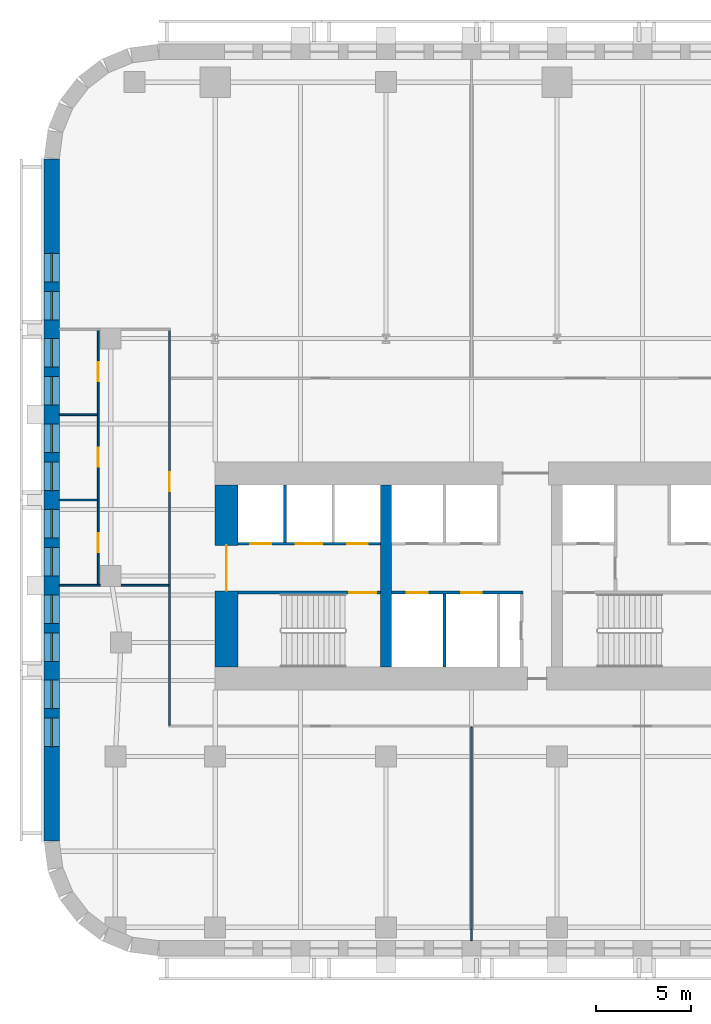
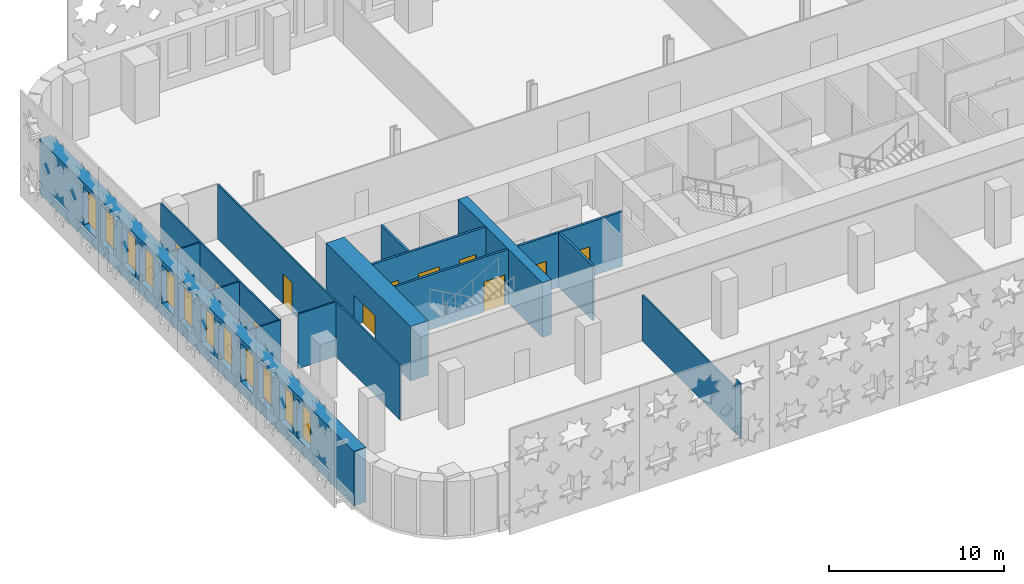
# One storey, part 3 of 14: 16 walls, 12 windows, 11 doors, 23 openings.
"""IFC4 building model written with IfcOpenShell, lengths in metres."""

from ifc_helpers import new_model, si_unit, direction, frame, frame_2d, origin, place, context, subcontext, project, spatial, rectangle, extrude, material, layer, layer_set, type_object, element, fill, save


model = new_model("IFC4")

# Units and contexts
model_context = context("Model", 3, precision=1e-05, world=origin(), true_north=direction((0.0, 1.0)))
body_context = subcontext(model_context, "Body", "Model", "MODEL_VIEW")
ifc_project = project(units=[si_unit("LENGTHUNIT", "METRE"), si_unit("AREAUNIT", "SQUARE_METRE"), si_unit("VOLUMEUNIT", "CUBIC_METRE"), si_unit("PLANEANGLEUNIT", "RADIAN"), si_unit("MASSUNIT", "GRAM", prefix="KILO")], contexts=[model_context])

# Site, building, storey
site_placement = place(None, origin())
site = spatial("IfcSite", under=ifc_project, at=site_placement, CompositionType="ELEMENT")
building_placement = place(site_placement, origin())
building = spatial("IfcBuilding", under=site, at=building_placement, Name="Zellij Exchange Tower", CompositionType="ELEMENT")
storey_placement = place(building_placement, frame((0.0, 0.0, 68.5)))
storey = spatial("IfcBuildingStorey", under=building, at=storey_placement, Name="L13", CompositionType="ELEMENT", Elevation=68.5)

# Walls
ifc_material_1 = material(Name="Concrete C70/85", Category="concrete")
ifc_layer_1 = layer(ifc_material_1, 0.60009765625)
ifc_layer_set_1 = layer_set([ifc_layer_1], Name="Concrete C70/85")
wall_type_1 = type_object("IfcWallType", Name="CORE-CW 600 C70/85", PredefinedType="SHEAR", material=ifc_layer_set_1)
wall_1_placement = place(storey_placement, frame((-18.0, -12.800048828125, 0.0), z_axis=(0.0, 0.0, 1.0), x_axis=(0.0, 1.0, 0.0)))
element("IfcWall", 1, at=wall_1_placement, inside=storey, type_object=wall_type_1, Name="Core cross wall x -18 L13", PredefinedType="SHEAR", context=body_context, shape_type="SweptSolid", body=[
    extrude(rectangle(XDim=9.60009765625, YDim=0.60009765625, at=frame_2d((4.800048828125, 0.0))), origin(), (0.0, 0.0, 1.0), 3.800048828125),
])
ifc_material_2 = material(Name="Gypsum shaft wall system")
ifc_layer_2 = layer(ifc_material_2, 0.14990234375)
ifc_layer_set_2 = layer_set([ifc_layer_2], Name="Gypsum shaft wall system")
wall_type_2 = type_object("IfcWallType", Name="CORE-PW 150 Lift shaft wall", PredefinedType="PARTITIONING", material=ifc_layer_set_2)
wall_2_placement = place(storey_placement, frame((-23.324951171875, -6.22509765625, 0.0), z_axis=(0.0, 0.0, 1.0), x_axis=(0.0, 1.0, 0.0)))
element("IfcWall", 2, at=wall_2_placement, inside=storey, type_object=wall_type_2, Name="Lift shaft wall L13", PredefinedType="PARTITIONING", context=body_context, shape_type="SweptSolid", body=[
    extrude(rectangle(XDim=3.025146484375, YDim=0.14990234375, at=frame_2d((1.5126953125, 0.0))), origin(), (0.0, 0.0, 1.0), 3.800048828125),
])
wall_3_placement = place(storey_placement, frame((-14.925048828125, -12.800048828125, 0.0), z_axis=(0.0, 0.0, 1.0), x_axis=(0.0, 1.0, 0.0)))
element("IfcWall", 3, at=wall_3_placement, inside=storey, type_object=wall_type_2, Name="Lift shaft wall L13", PredefinedType="PARTITIONING", context=body_context, shape_type="SweptSolid", body=[
    extrude(rectangle(XDim=3.85009765625, YDim=0.14990234375, at=frame_2d((1.925048828125, 0.0))), origin(), (0.0, 0.0, 1.0), 3.800048828125),
])

# Wall, openings, doors
wall_4_placement = place(storey_placement, frame((-25.800048828125, -6.300048828125, 0.0), z_axis=(0.0, 0.0, 1.0), x_axis=(1.0, 0.0, 0.0)))
wall_4 = element("IfcWall", 4, at=wall_4_placement, inside=storey, type_object=wall_type_2, Name="Lift shaft wall L13", PredefinedType="PARTITIONING", context=body_context, shape_type="SweptSolid", body=[
    extrude(rectangle(XDim=7.5, YDim=0.14990234375, at=frame_2d((3.75, 0.0))), origin(), (0.0, 0.0, 1.0), 3.800048828125),
])
opening_1_placement = place(wall_4_placement, frame((0.64990234375, 0.0, 0.0)))
opening_1 = element("IfcOpeningElement", 5, at=opening_1_placement, cuts=wall_4, Name="Opening CA-08.02", PredefinedType="OPENING", context=body_context, shape_type="SweptSolid", body=[
    extrude(rectangle(XDim=1.10009765625, YDim=2.10009765625, at=frame_2d((0.550048828125, 1.050048828125))), frame((0.0, 0.0869140625, 0.0), z_axis=(0.0, -1.0, 0.0), x_axis=(1.0, 0.0, 0.0)), (0.0, 0.0, 1.0), 0.173828125),
])
opening_2_placement = place(wall_4_placement, frame((3.050048828125, 0.0, 0.0)))
opening_2 = element("IfcOpeningElement", 6, at=opening_2_placement, cuts=wall_4, Name="Opening CA-08.03", PredefinedType="OPENING", context=body_context, shape_type="SweptSolid", body=[
    extrude(rectangle(XDim=1.39990234375, YDim=2.10009765625, at=frame_2d((0.699951171875, 1.050048828125))), frame((0.0, 0.0869140625, 0.0), z_axis=(0.0, -1.0, 0.0), x_axis=(1.0, 0.0, 0.0)), (0.0, 0.0, 1.0), 0.173828125),
])
opening_3_placement = place(wall_4_placement, frame((5.75, 0.0, 0.0)))
opening_3 = element("IfcOpeningElement", 7, at=opening_3_placement, cuts=wall_4, Name="Opening CA-08.04", PredefinedType="OPENING", context=body_context, shape_type="SweptSolid", body=[
    extrude(rectangle(XDim=1.10009765625, YDim=2.10009765625, at=frame_2d((0.550048828125, 1.050048828125))), frame((0.0, 0.0869140625, 0.0), z_axis=(0.0, -1.0, 0.0), x_axis=(1.0, 0.0, 0.0)), (0.0, 0.0, 1.0), 0.173828125),
])
ifc_material_3 = material(Name="Hollow metal fire door")
door_type_1 = type_object("IfcDoorType", Name="CORE-D LD Lift landing door 1100x2100 1.5 HR", OperationType="NOTDEFINED", PredefinedType="DOOR", material=ifc_material_3)
door_1_placement = place(opening_1_placement, origin())
door_1 = element("IfcDoor", 8, at=door_1_placement, inside=storey, type_object=door_type_1, Name="Lift landing door CA-08.02", OperationType="SLIDING_TO_RIGHT", OverallHeight=2.10009765625, OverallWidth=1.10009765625, PredefinedType="DOOR", context=body_context, shape_type="SweptSolid", body=[
    extrude(rectangle(XDim=1.10009765625, YDim=2.10009765625, at=frame_2d((0.550048828125, 1.050048828125))), frame((0.0, 0.02490234375, 0.0), z_axis=(0.0, -1.0, 0.0), x_axis=(1.0, 0.0, 0.0)), (0.0, 0.0, 1.0), 0.050048828125),
])
fill(opening_1, door_1)
door_2_placement = place(opening_3_placement, origin())
door_2 = element("IfcDoor", 9, at=door_2_placement, inside=storey, type_object=door_type_1, Name="Lift landing door CA-08.04", OperationType="SLIDING_TO_RIGHT", OverallHeight=2.10009765625, OverallWidth=1.10009765625, PredefinedType="DOOR", context=body_context, shape_type="SweptSolid", body=[
    extrude(rectangle(XDim=1.10009765625, YDim=2.10009765625, at=frame_2d((0.550048828125, 1.050048828125))), frame((0.0, 0.02490234375, 0.0), z_axis=(0.0, -1.0, 0.0), x_axis=(1.0, 0.0, 0.0)), (0.0, 0.0, 1.0), 0.050048828125),
])
fill(opening_3, door_2)
door_type_2 = type_object("IfcDoorType", Name="CORE-D LD2 Service lift landing door 1400x2100 1.5 HR", OperationType="NOTDEFINED", PredefinedType="DOOR", material=ifc_material_3)
door_3_placement = place(opening_2_placement, origin())
door_3 = element("IfcDoor", 10, at=door_3_placement, inside=storey, type_object=door_type_2, Name="Service lift landing door CA-08.03", OperationType="SLIDING_TO_LEFT", OverallHeight=2.10009765625, OverallWidth=1.39990234375, PredefinedType="DOOR", context=body_context, shape_type="SweptSolid", body=[
    extrude(rectangle(XDim=1.39990234375, YDim=2.10009765625, at=frame_2d((0.699951171875, 1.050048828125))), frame((0.0, 0.02490234375, 0.0), z_axis=(0.0, -1.0, 0.0), x_axis=(1.0, 0.0, 0.0)), (0.0, 0.0, 1.0), 0.050048828125),
])
fill(opening_2, door_3)

wall_5_placement = place(storey_placement, frame((-17.699951171875, -8.875, 0.0), z_axis=(0.0, 0.0, 1.0), x_axis=(1.0, 0.0, 0.0)))
wall_5 = element("IfcWall", 11, at=wall_5_placement, inside=storey, type_object=wall_type_2, Name="Lift shaft wall L13", PredefinedType="PARTITIONING", context=body_context, shape_type="SweptSolid", body=[
    extrude(rectangle(XDim=6.89990234375, YDim=0.14990234375, at=frame_2d((3.449951171875, 0.0))), origin(), (0.0, 0.0, 1.0), 3.800048828125),
])
opening_4_placement = place(wall_5_placement, frame((0.800048828125, 0.0, 0.0)))
opening_4 = element("IfcOpeningElement", 12, at=opening_4_placement, cuts=wall_5, Name="Opening CA-08.06", PredefinedType="OPENING", context=body_context, shape_type="SweptSolid", body=[
    extrude(rectangle(XDim=1.10009765625, YDim=2.10009765625, at=frame_2d((0.550048828125, 1.050048828125))), frame((0.0, 0.0869140625, 0.0), z_axis=(0.0, -1.0, 0.0), x_axis=(1.0, 0.0, 0.0)), (0.0, 0.0, 1.0), 0.173828125),
])
opening_5_placement = place(wall_5_placement, frame((3.64990234375, 0.0, 0.0)))
opening_5 = element("IfcOpeningElement", 13, at=opening_5_placement, cuts=wall_5, Name="Opening CA-08.08", PredefinedType="OPENING", context=body_context, shape_type="SweptSolid", body=[
    extrude(rectangle(XDim=1.10009765625, YDim=2.10009765625, at=frame_2d((0.550048828125, 1.050048828125))), frame((0.0, 0.0869140625, 0.0), z_axis=(0.0, -1.0, 0.0), x_axis=(1.0, 0.0, 0.0)), (0.0, 0.0, 1.0), 0.173828125),
])
door_4_placement = place(opening_4_placement, origin())
door_4 = element("IfcDoor", 14, at=door_4_placement, inside=storey, type_object=door_type_1, Name="Lift landing door CA-08.06", OperationType="SLIDING_TO_RIGHT", OverallHeight=2.10009765625, OverallWidth=1.10009765625, PredefinedType="DOOR", context=body_context, shape_type="SweptSolid", body=[
    extrude(rectangle(XDim=1.10009765625, YDim=2.10009765625, at=frame_2d((0.550048828125, 1.050048828125))), frame((0.0, 0.02490234375, 0.0), z_axis=(0.0, -1.0, 0.0), x_axis=(1.0, 0.0, 0.0)), (0.0, 0.0, 1.0), 0.050048828125),
])
fill(opening_4, door_4)
door_5_placement = place(opening_5_placement, origin())
door_5 = element("IfcDoor", 15, at=door_5_placement, inside=storey, type_object=door_type_1, Name="Lift landing door CA-08.08", OperationType="SLIDING_TO_RIGHT", OverallHeight=2.10009765625, OverallWidth=1.10009765625, PredefinedType="DOOR", context=body_context, shape_type="SweptSolid", body=[
    extrude(rectangle(XDim=1.10009765625, YDim=2.10009765625, at=frame_2d((0.550048828125, 1.050048828125))), frame((0.0, 0.02490234375, 0.0), z_axis=(0.0, -1.0, 0.0), x_axis=(1.0, 0.0, 0.0)), (0.0, 0.0, 1.0), 0.050048828125),
])
fill(opening_5, door_5)

# Wall, opening, door
ifc_layer_3 = layer(ifc_material_1, 1.199951171875)
ifc_layer_set_3 = layer_set([ifc_layer_3], Name="Concrete C70/85")
wall_type_3 = type_object("IfcWallType", Name="CORE-SW 1200 C70/85", PredefinedType="SHEAR", material=ifc_layer_set_3)
wall_6_placement = place(storey_placement, frame((-26.39990234375, -12.800048828125, 0.0), z_axis=(0.0, 0.0, 1.0), x_axis=(0.0, 1.0, 0.0)))
wall_6 = element("IfcWall", 16, at=wall_6_placement, inside=storey, type_object=wall_type_3, Name="Core shear wall end w L13", PredefinedType="SHEAR", context=body_context, shape_type="SweptSolid", body=[
    extrude(rectangle(XDim=9.60009765625, YDim=1.199951171875, at=frame_2d((4.800048828125, 0.0))), origin(), (0.0, 0.0, 1.0), 3.800048828125),
])
opening_6_placement = place(wall_6_placement, frame((4.011962890625, 0.0, 0.0)))
opening_6 = element("IfcOpeningElement", 17, at=opening_6_placement, cuts=wall_6, Name="Opening CA-08.01", PredefinedType="OPENING", context=body_context, shape_type="SweptSolid", body=[
    extrude(rectangle(XDim=2.39990234375, YDim=2.10009765625, at=frame_2d((1.199951171875, 1.050048828125))), frame((0.0, 0.61181640625, 0.0), z_axis=(0.0, -1.0, 0.0), x_axis=(1.0, 0.0, 0.0)), (0.0, 0.0, 1.0), 1.223876953125),
])
door_type_3 = type_object("IfcDoorType", Name="CORE-D CE Core entrance door 2400x2100 20 MIN", OperationType="NOTDEFINED", PredefinedType="DOOR", material=ifc_material_3)
door_6_placement = place(opening_6_placement, origin())
door_6 = element("IfcDoor", 18, at=door_6_placement, inside=storey, type_object=door_type_3, Name="Core entrance door CA-08.01", OperationType="DOUBLE_DOOR_SINGLE_SWING", OverallHeight=2.10009765625, OverallWidth=2.39990234375, PredefinedType="DOOR", context=body_context, shape_type="SweptSolid", body=[
    extrude(rectangle(XDim=2.39990234375, YDim=2.10009765625, at=frame_2d((1.199951171875, 1.050048828125))), frame((0.0, 0.02490234375, 0.0), z_axis=(0.0, -1.0, 0.0), x_axis=(1.0, 0.0, 0.0)), (0.0, 0.0, 1.0), 0.050048828125),
])
fill(opening_6, door_6)

ifc_layer_4 = layer(ifc_material_1, 0.14990234375)
ifc_layer_set_4 = layer_set([ifc_layer_4], Name="Concrete C70/85")
wall_type_4 = type_object("IfcWallType", Name="CORE-SWS 150 C70/85", PredefinedType="SHEAR", material=ifc_layer_set_4)
wall_7_placement = place(storey_placement, frame((-25.800048828125, -8.875, 0.0), z_axis=(0.0, 0.0, 1.0), x_axis=(1.0, 0.0, 0.0)))
wall_7 = element("IfcWall", 19, at=wall_7_placement, inside=storey, type_object=wall_type_4, Name="Stair enclosure wall L13", PredefinedType="SHEAR", context=body_context, shape_type="SweptSolid", body=[
    extrude(rectangle(XDim=7.5, YDim=0.14990234375, at=frame_2d((3.75, 0.0))), origin(), (0.0, 0.0, 1.0), 3.800048828125),
])
opening_7_placement = place(wall_7_placement, frame((5.875, 0.0, 0.0)))
opening_7 = element("IfcOpeningElement", 20, at=opening_7_placement, cuts=wall_7, Name="Opening CA-08.05", PredefinedType="OPENING", context=body_context, shape_type="SweptSolid", body=[
    extrude(rectangle(XDim=1.39990234375, YDim=2.10009765625, at=frame_2d((0.699951171875, 1.050048828125))), frame((0.0, 0.0869140625, 0.0), z_axis=(0.0, -1.0, 0.0), x_axis=(1.0, 0.0, 0.0)), (0.0, 0.0, 1.0), 0.173828125),
])
door_type_4 = type_object("IfcDoorType", Name="CORE-D SD Stair door 1400x2100 1.5 HR", OperationType="NOTDEFINED", PredefinedType="DOOR", material=ifc_material_3)
door_7_placement = place(opening_7_placement, origin())
door_7 = element("IfcDoor", 21, at=door_7_placement, inside=storey, type_object=door_type_4, Name="Stair door CA-08.05", OperationType="DOUBLE_DOOR_SINGLE_SWING", OverallHeight=2.10009765625, OverallWidth=1.39990234375, PredefinedType="DOOR", context=body_context, shape_type="SweptSolid", body=[
    extrude(rectangle(XDim=1.39990234375, YDim=2.10009765625, at=frame_2d((0.699951171875, 1.050048828125))), frame((0.0, 0.02490234375, 0.0), z_axis=(0.0, -1.0, 0.0), x_axis=(1.0, 0.0, 0.0)), (0.0, 0.0, 1.0), 0.050048828125),
])
fill(opening_7, door_7)

# Wall, openings, windows
ifc_material_4 = material(Name="Precast concrete C40/50", Category="concrete")
ifc_layer_5 = layer(ifc_material_4, 0.800048828125)
ifc_layer_set_5 = layer_set([ifc_layer_5], Name="Precast concrete C40/50")
wall_type_5 = type_object("IfcWallType", Name="ENV-EW1 Precast stone-piered wall 800", PredefinedType="SOLIDWALL", material=ifc_layer_set_5)
wall_8_placement = place(storey_placement, frame((-35.60009765625, 13.947509765625, 0.0), z_axis=(0.0, 0.0, 1.0), x_axis=(0.0, -1.0, 0.0)))
wall_8 = element("IfcWall", 22, at=wall_8_placement, inside=storey, type_object=wall_type_5, Name="fac.L13.21", PredefinedType="SOLIDWALL", context=body_context, shape_type="SweptSolid", body=[
    extrude(rectangle(XDim=35.89501953125, YDim=0.800048828125, at=frame_2d((17.947509765625, 0.0))), origin(), (0.0, 0.0, 1.0), 3.800048828125),
])
opening_8_placement = place(wall_8_placement, frame((4.9638671875, 0.0, 0.800048828125)))
opening_8 = element("IfcOpeningElement", 23, at=opening_8_placement, cuts=wall_8, Name="Opening FZ1.61", PredefinedType="OPENING", context=body_context, shape_type="SweptSolid", body=[
    extrude(rectangle(XDim=1.5, YDim=2.699951171875, at=frame_2d((0.75, 1.35009765625))), frame((0.0, 0.412109375, 0.0), z_axis=(0.0, -1.0, 0.0), x_axis=(1.0, 0.0, 0.0)), (0.0, 0.0, 1.0), 0.823974609375),
])
opening_9_placement = place(wall_8_placement, frame((6.9638671875, 0.0, 0.800048828125)))
opening_9 = element("IfcOpeningElement", 24, at=opening_9_placement, cuts=wall_8, Name="Opening FZ1.62", PredefinedType="OPENING", context=body_context, shape_type="SweptSolid", body=[
    extrude(rectangle(XDim=1.5, YDim=2.699951171875, at=frame_2d((0.75, 1.35009765625))), frame((0.0, 0.412109375, 0.0), z_axis=(0.0, -1.0, 0.0), x_axis=(1.0, 0.0, 0.0)), (0.0, 0.0, 1.0), 0.823974609375),
])
opening_10_placement = place(wall_8_placement, frame((9.45751953125, 0.0, 0.800048828125)))
opening_10 = element("IfcOpeningElement", 25, at=opening_10_placement, cuts=wall_8, Name="Opening FZ1.63", PredefinedType="OPENING", context=body_context, shape_type="SweptSolid", body=[
    extrude(rectangle(XDim=1.5, YDim=2.699951171875, at=frame_2d((0.75, 1.35009765625))), frame((0.0, 0.412109375, 0.0), z_axis=(0.0, -1.0, 0.0), x_axis=(1.0, 0.0, 0.0)), (0.0, 0.0, 1.0), 0.823974609375),
])
opening_11_placement = place(wall_8_placement, frame((11.45751953125, 0.0, 0.800048828125)))
opening_11 = element("IfcOpeningElement", 26, at=opening_11_placement, cuts=wall_8, Name="Opening FZ1.64", PredefinedType="OPENING", context=body_context, shape_type="SweptSolid", body=[
    extrude(rectangle(XDim=1.5, YDim=2.699951171875, at=frame_2d((0.75, 1.35009765625))), frame((0.0, 0.412109375, 0.0), z_axis=(0.0, -1.0, 0.0), x_axis=(1.0, 0.0, 0.0)), (0.0, 0.0, 1.0), 0.823974609375),
])
opening_12_placement = place(wall_8_placement, frame((13.950927734375, 0.0, 0.800048828125)))
opening_12 = element("IfcOpeningElement", 27, at=opening_12_placement, cuts=wall_8, Name="Opening FZ1.65", PredefinedType="OPENING", context=body_context, shape_type="SweptSolid", body=[
    extrude(rectangle(XDim=1.5, YDim=2.699951171875, at=frame_2d((0.75, 1.35009765625))), frame((0.0, 0.412109375, 0.0), z_axis=(0.0, -1.0, 0.0), x_axis=(1.0, 0.0, 0.0)), (0.0, 0.0, 1.0), 0.823974609375),
])
opening_13_placement = place(wall_8_placement, frame((15.95068359375, 0.0, 0.800048828125)))
opening_13 = element("IfcOpeningElement", 28, at=opening_13_placement, cuts=wall_8, Name="Opening FZ1.66", PredefinedType="OPENING", context=body_context, shape_type="SweptSolid", body=[
    extrude(rectangle(XDim=1.5, YDim=2.699951171875, at=frame_2d((0.75, 1.35009765625))), frame((0.0, 0.412109375, 0.0), z_axis=(0.0, -1.0, 0.0), x_axis=(1.0, 0.0, 0.0)), (0.0, 0.0, 1.0), 0.823974609375),
])
opening_14_placement = place(wall_8_placement, frame((18.4443359375, 0.0, 0.800048828125)))
opening_14 = element("IfcOpeningElement", 29, at=opening_14_placement, cuts=wall_8, Name="Opening FZ1.67", PredefinedType="OPENING", context=body_context, shape_type="SweptSolid", body=[
    extrude(rectangle(XDim=1.5, YDim=2.699951171875, at=frame_2d((0.75, 1.35009765625))), frame((0.0, 0.412109375, 0.0), z_axis=(0.0, -1.0, 0.0), x_axis=(1.0, 0.0, 0.0)), (0.0, 0.0, 1.0), 0.823974609375),
])
opening_15_placement = place(wall_8_placement, frame((20.4443359375, 0.0, 0.800048828125)))
opening_15 = element("IfcOpeningElement", 30, at=opening_15_placement, cuts=wall_8, Name="Opening FZ1.68", PredefinedType="OPENING", context=body_context, shape_type="SweptSolid", body=[
    extrude(rectangle(XDim=1.5, YDim=2.699951171875, at=frame_2d((0.75, 1.35009765625))), frame((0.0, 0.412109375, 0.0), z_axis=(0.0, -1.0, 0.0), x_axis=(1.0, 0.0, 0.0)), (0.0, 0.0, 1.0), 0.823974609375),
])
opening_16_placement = place(wall_8_placement, frame((22.937744140625, 0.0, 0.800048828125)))
opening_16 = element("IfcOpeningElement", 31, at=opening_16_placement, cuts=wall_8, Name="Opening FZ1.69", PredefinedType="OPENING", context=body_context, shape_type="SweptSolid", body=[
    extrude(rectangle(XDim=1.5, YDim=2.699951171875, at=frame_2d((0.75, 1.35009765625))), frame((0.0, 0.412109375, 0.0), z_axis=(0.0, -1.0, 0.0), x_axis=(1.0, 0.0, 0.0)), (0.0, 0.0, 1.0), 0.823974609375),
])
opening_17_placement = place(wall_8_placement, frame((24.937744140625, 0.0, 0.800048828125)))
opening_17 = element("IfcOpeningElement", 32, at=opening_17_placement, cuts=wall_8, Name="Opening FZ1.70", PredefinedType="OPENING", context=body_context, shape_type="SweptSolid", body=[
    extrude(rectangle(XDim=1.5, YDim=2.699951171875, at=frame_2d((0.75, 1.35009765625))), frame((0.0, 0.412109375, 0.0), z_axis=(0.0, -1.0, 0.0), x_axis=(1.0, 0.0, 0.0)), (0.0, 0.0, 1.0), 0.823974609375),
])
opening_18_placement = place(wall_8_placement, frame((27.43115234375, 0.0, 0.800048828125)))
opening_18 = element("IfcOpeningElement", 33, at=opening_18_placement, cuts=wall_8, Name="Opening FZ1.71", PredefinedType="OPENING", context=body_context, shape_type="SweptSolid", body=[
    extrude(rectangle(XDim=1.5, YDim=2.699951171875, at=frame_2d((0.75, 1.35009765625))), frame((0.0, 0.412109375, 0.0), z_axis=(0.0, -1.0, 0.0), x_axis=(1.0, 0.0, 0.0)), (0.0, 0.0, 1.0), 0.823974609375),
])
opening_19_placement = place(wall_8_placement, frame((29.43115234375, 0.0, 0.800048828125)))
opening_19 = element("IfcOpeningElement", 34, at=opening_19_placement, cuts=wall_8, Name="Opening FZ1.72", PredefinedType="OPENING", context=body_context, shape_type="SweptSolid", body=[
    extrude(rectangle(XDim=1.5, YDim=2.699951171875, at=frame_2d((0.75, 1.35009765625))), frame((0.0, 0.412109375, 0.0), z_axis=(0.0, -1.0, 0.0), x_axis=(1.0, 0.0, 0.0)), (0.0, 0.0, 1.0), 0.823974609375),
])
ifc_material_5 = material(Name="Aluminium frame with insulating glass", Category="aluminium")
window_type = type_object("IfcWindowType", Name="ENV-W6 Window 1500x2700", PartitioningType="SINGLE_PANEL", PredefinedType="WINDOW", material=ifc_material_5)
window_1_placement = place(opening_8_placement, origin())
window_1 = element("IfcWindow", 35, at=window_1_placement, inside=storey, type_object=window_type, Name="Window FZ1.61", OverallHeight=2.699951171875, OverallWidth=1.5, PartitioningType="SINGLE_PANEL", PredefinedType="WINDOW", context=body_context, shape_type="SweptSolid", body=[
    extrude(rectangle(XDim=1.5, YDim=2.699951171875, at=frame_2d((0.75, 1.35009765625))), frame((0.0, 0.030029296875, 0.0), z_axis=(0.0, -1.0, 0.0), x_axis=(1.0, 0.0, 0.0)), (0.0, 0.0, 1.0), 0.06005859375),
])
fill(opening_8, window_1)
window_2_placement = place(opening_9_placement, origin())
window_2 = element("IfcWindow", 36, at=window_2_placement, inside=storey, type_object=window_type, Name="Window FZ1.62", OverallHeight=2.699951171875, OverallWidth=1.5, PartitioningType="SINGLE_PANEL", PredefinedType="WINDOW", context=body_context, shape_type="SweptSolid", body=[
    extrude(rectangle(XDim=1.5, YDim=2.699951171875, at=frame_2d((0.75, 1.35009765625))), frame((0.0, 0.030029296875, 0.0), z_axis=(0.0, -1.0, 0.0), x_axis=(1.0, 0.0, 0.0)), (0.0, 0.0, 1.0), 0.06005859375),
])
fill(opening_9, window_2)
window_3_placement = place(opening_10_placement, origin())
window_3 = element("IfcWindow", 37, at=window_3_placement, inside=storey, type_object=window_type, Name="Window FZ1.63", OverallHeight=2.699951171875, OverallWidth=1.5, PartitioningType="SINGLE_PANEL", PredefinedType="WINDOW", context=body_context, shape_type="SweptSolid", body=[
    extrude(rectangle(XDim=1.5, YDim=2.699951171875, at=frame_2d((0.75, 1.35009765625))), frame((0.0, 0.030029296875, 0.0), z_axis=(0.0, -1.0, 0.0), x_axis=(1.0, 0.0, 0.0)), (0.0, 0.0, 1.0), 0.06005859375),
])
fill(opening_10, window_3)
window_4_placement = place(opening_11_placement, origin())
window_4 = element("IfcWindow", 38, at=window_4_placement, inside=storey, type_object=window_type, Name="Window FZ1.64", OverallHeight=2.699951171875, OverallWidth=1.5, PartitioningType="SINGLE_PANEL", PredefinedType="WINDOW", context=body_context, shape_type="SweptSolid", body=[
    extrude(rectangle(XDim=1.5, YDim=2.699951171875, at=frame_2d((0.75, 1.35009765625))), frame((0.0, 0.030029296875, 0.0), z_axis=(0.0, -1.0, 0.0), x_axis=(1.0, 0.0, 0.0)), (0.0, 0.0, 1.0), 0.06005859375),
])
fill(opening_11, window_4)
window_5_placement = place(opening_12_placement, origin())
window_5 = element("IfcWindow", 39, at=window_5_placement, inside=storey, type_object=window_type, Name="Window FZ1.65", OverallHeight=2.699951171875, OverallWidth=1.5, PartitioningType="SINGLE_PANEL", PredefinedType="WINDOW", context=body_context, shape_type="SweptSolid", body=[
    extrude(rectangle(XDim=1.5, YDim=2.699951171875, at=frame_2d((0.75, 1.35009765625))), frame((0.0, 0.030029296875, 0.0), z_axis=(0.0, -1.0, 0.0), x_axis=(1.0, 0.0, 0.0)), (0.0, 0.0, 1.0), 0.06005859375),
])
fill(opening_12, window_5)
window_6_placement = place(opening_13_placement, origin())
window_6 = element("IfcWindow", 40, at=window_6_placement, inside=storey, type_object=window_type, Name="Window FZ1.66", OverallHeight=2.699951171875, OverallWidth=1.5, PartitioningType="SINGLE_PANEL", PredefinedType="WINDOW", context=body_context, shape_type="SweptSolid", body=[
    extrude(rectangle(XDim=1.5, YDim=2.699951171875, at=frame_2d((0.75, 1.35009765625))), frame((0.0, 0.030029296875, 0.0), z_axis=(0.0, -1.0, 0.0), x_axis=(1.0, 0.0, 0.0)), (0.0, 0.0, 1.0), 0.06005859375),
])
fill(opening_13, window_6)
window_7_placement = place(opening_14_placement, origin())
window_7 = element("IfcWindow", 41, at=window_7_placement, inside=storey, type_object=window_type, Name="Window FZ1.67", OverallHeight=2.699951171875, OverallWidth=1.5, PartitioningType="SINGLE_PANEL", PredefinedType="WINDOW", context=body_context, shape_type="SweptSolid", body=[
    extrude(rectangle(XDim=1.5, YDim=2.699951171875, at=frame_2d((0.75, 1.35009765625))), frame((0.0, 0.030029296875, 0.0), z_axis=(0.0, -1.0, 0.0), x_axis=(1.0, 0.0, 0.0)), (0.0, 0.0, 1.0), 0.06005859375),
])
fill(opening_14, window_7)
window_8_placement = place(opening_15_placement, origin())
window_8 = element("IfcWindow", 42, at=window_8_placement, inside=storey, type_object=window_type, Name="Window FZ1.68", OverallHeight=2.699951171875, OverallWidth=1.5, PartitioningType="SINGLE_PANEL", PredefinedType="WINDOW", context=body_context, shape_type="SweptSolid", body=[
    extrude(rectangle(XDim=1.5, YDim=2.699951171875, at=frame_2d((0.75, 1.35009765625))), frame((0.0, 0.030029296875, 0.0), z_axis=(0.0, -1.0, 0.0), x_axis=(1.0, 0.0, 0.0)), (0.0, 0.0, 1.0), 0.06005859375),
])
fill(opening_15, window_8)
window_9_placement = place(opening_16_placement, origin())
window_9 = element("IfcWindow", 43, at=window_9_placement, inside=storey, type_object=window_type, Name="Window FZ1.69", OverallHeight=2.699951171875, OverallWidth=1.5, PartitioningType="SINGLE_PANEL", PredefinedType="WINDOW", context=body_context, shape_type="SweptSolid", body=[
    extrude(rectangle(XDim=1.5, YDim=2.699951171875, at=frame_2d((0.75, 1.35009765625))), frame((0.0, 0.030029296875, 0.0), z_axis=(0.0, -1.0, 0.0), x_axis=(1.0, 0.0, 0.0)), (0.0, 0.0, 1.0), 0.06005859375),
])
fill(opening_16, window_9)
window_10_placement = place(opening_17_placement, origin())
window_10 = element("IfcWindow", 44, at=window_10_placement, inside=storey, type_object=window_type, Name="Window FZ1.70", OverallHeight=2.699951171875, OverallWidth=1.5, PartitioningType="SINGLE_PANEL", PredefinedType="WINDOW", context=body_context, shape_type="SweptSolid", body=[
    extrude(rectangle(XDim=1.5, YDim=2.699951171875, at=frame_2d((0.75, 1.35009765625))), frame((0.0, 0.030029296875, 0.0), z_axis=(0.0, -1.0, 0.0), x_axis=(1.0, 0.0, 0.0)), (0.0, 0.0, 1.0), 0.06005859375),
])
fill(opening_17, window_10)
window_11_placement = place(opening_18_placement, origin())
window_11 = element("IfcWindow", 45, at=window_11_placement, inside=storey, type_object=window_type, Name="Window FZ1.71", OverallHeight=2.699951171875, OverallWidth=1.5, PartitioningType="SINGLE_PANEL", PredefinedType="WINDOW", context=body_context, shape_type="SweptSolid", body=[
    extrude(rectangle(XDim=1.5, YDim=2.699951171875, at=frame_2d((0.75, 1.35009765625))), frame((0.0, 0.030029296875, 0.0), z_axis=(0.0, -1.0, 0.0), x_axis=(1.0, 0.0, 0.0)), (0.0, 0.0, 1.0), 0.06005859375),
])
fill(opening_18, window_11)
window_12_placement = place(opening_19_placement, origin())
window_12 = element("IfcWindow", 46, at=window_12_placement, inside=storey, type_object=window_type, Name="Window FZ1.72", OverallHeight=2.699951171875, OverallWidth=1.5, PartitioningType="SINGLE_PANEL", PredefinedType="WINDOW", context=body_context, shape_type="SweptSolid", body=[
    extrude(rectangle(XDim=1.5, YDim=2.699951171875, at=frame_2d((0.75, 1.35009765625))), frame((0.0, 0.030029296875, 0.0), z_axis=(0.0, -1.0, 0.0), x_axis=(1.0, 0.0, 0.0)), (0.0, 0.0, 1.0), 0.06005859375),
])
fill(opening_19, window_12)

# Walls
ifc_material_6 = material(Name="Gypsum board partition on steel studs", Category="steel")
ifc_layer_6 = layer(ifc_material_6, 0.10009765625)
ifc_layer_set_6 = layer_set([ifc_layer_6], Name="Gypsum board partition on steel studs")
wall_type_6 = type_object("IfcWallType", Name="FIT-PARTITION-100", PredefinedType="PARTITIONING", material=ifc_layer_set_6)
wall_9_placement = place(storey_placement, frame((-13.5, -27.199951171875, 0.0), z_axis=(0.0, 0.0, 1.0), x_axis=(0.0, 1.0, 0.0)))
element("IfcWall", 47, at=wall_9_placement, inside=storey, type_object=wall_type_6, Name="FIT-PARTITION-100 001", PredefinedType="PARTITIONING", context=body_context, shape_type="SweptSolid", body=[
    extrude(rectangle(XDim=0.58544921875, YDim=0.10009765625, at=frame_2d((0.292724609375, 0.0))), origin(), (0.0, 0.0, 1.0), 3.800048828125),
])
wall_10_placement = place(storey_placement, frame((-13.5, -26.614501953125, 0.0), z_axis=(0.0, 0.0, 1.0), x_axis=(0.0, 1.0, 0.0)))
element("IfcWall", 48, at=wall_10_placement, inside=storey, type_object=wall_type_6, Name="FIT-PARTITION-100 002", PredefinedType="PARTITIONING", context=body_context, shape_type="SweptSolid", body=[
    extrude(rectangle(XDim=10.66455078125, YDim=0.10009765625, at=frame_2d((5.332275390625, 0.0))), origin(), (0.0, 0.0, 1.0), 3.197998046875),
])

# Wall, opening, door
wall_11_placement = place(storey_placement, frame((-29.39990234375, -15.85009765625, 0.0), z_axis=(0.0, 0.0, 1.0), x_axis=(0.0, 1.0, 0.0)))
wall_11 = element("IfcWall", 49, at=wall_11_placement, inside=storey, type_object=wall_type_6, Name="FIT-PARTITION-100 008", PredefinedType="PARTITIONING", context=body_context, shape_type="SweptSolid", body=[
    extrude(rectangle(XDim=20.7900390625, YDim=0.10009765625, at=frame_2d((10.39501953125, 0.0))), origin(), (0.0, 0.0, 1.0), 3.800048828125),
])
opening_20_placement = place(wall_11_placement, frame((12.31005859375, 0.0, 0.0)))
opening_20 = element("IfcOpeningElement", 50, at=opening_20_placement, cuts=wall_11, Name="Opening TB.06", PredefinedType="OPENING", context=body_context, shape_type="SweptSolid", body=[
    extrude(rectangle(XDim=1.0, YDim=2.10009765625, at=frame_2d((0.5, 1.050048828125))), frame((0.0, 0.06201171875, 0.0), z_axis=(0.0, -1.0, 0.0), x_axis=(1.0, 0.0, 0.0)), (0.0, 0.0, 1.0), 0.1240234375),
])
ifc_material_7 = material(Name="Timber door set", Category="wood")
door_type_5 = type_object("IfcDoorType", Name="FIT-D2-WIDE-1000X2100", OperationType="SINGLE_SWING_LEFT", PredefinedType="DOOR", material=ifc_material_7)
door_8_placement = place(opening_20_placement, origin())
door_8 = element("IfcDoor", 51, at=door_8_placement, inside=storey, type_object=door_type_5, Name="Door TB.06", OperationType="SINGLE_SWING_RIGHT", OverallHeight=2.10009765625, OverallWidth=1.0, PredefinedType="DOOR", context=body_context, shape_type="SweptSolid", body=[
    extrude(rectangle(XDim=1.0, YDim=2.10009765625, at=frame_2d((0.5, 1.050048828125))), frame((0.0, 0.02490234375, 0.0), z_axis=(0.0, -1.0, 0.0), x_axis=(1.0, 0.0, 0.0)), (0.0, 0.0, 1.0), 0.050048828125),
])
fill(opening_20, door_8)

# Walls
wall_12_placement = place(storey_placement, frame((-35.199951171875, -8.489990234375, 0.0), z_axis=(0.0, 0.0, 1.0), x_axis=(1.0, 0.0, 0.0)))
element("IfcWall", 52, at=wall_12_placement, inside=storey, type_object=wall_type_6, Name="FIT-PARTITION-100 010", PredefinedType="PARTITIONING", context=body_context, shape_type="SweptSolid", body=[
    extrude(rectangle(XDim=2.14990234375, YDim=0.10009765625, at=frame_2d((1.074951171875, 0.0))), origin(), (0.0, 0.0, 1.0), 3.800048828125),
])
wall_13_placement = place(storey_placement, frame((-31.949951171875, -8.489990234375, 0.0), z_axis=(0.0, 0.0, 1.0), x_axis=(1.0, 0.0, 0.0)))
element("IfcWall", 53, at=wall_13_placement, inside=storey, type_object=wall_type_6, Name="FIT-PARTITION-100 011", PredefinedType="PARTITIONING", context=body_context, shape_type="SweptSolid", body=[
    extrude(rectangle(XDim=2.5, YDim=0.10009765625, at=frame_2d((1.25, 0.0))), origin(), (0.0, 0.0, 1.0), 3.800048828125),
])

# Wall, openings, doors
wall_14_placement = place(storey_placement, frame((-33.14990234375, -8.43994140625, 0.0), z_axis=(0.0, 0.0, 1.0), x_axis=(0.0, 1.0, 0.0)))
wall_14 = element("IfcWall", 54, at=wall_14_placement, inside=storey, type_object=wall_type_6, Name="FIT-PARTITION-100 012", PredefinedType="PARTITIONING", context=body_context, shape_type="SweptSolid", body=[
    extrude(rectangle(XDim=13.3798828125, YDim=0.10009765625, at=frame_2d((6.68994140625, 0.0))), origin(), (0.0, 0.0, 1.0), 3.800048828125),
])
opening_21_placement = place(wall_14_placement, frame((1.699951171875, 0.0, 0.0)))
opening_21 = element("IfcOpeningElement", 55, at=opening_21_placement, cuts=wall_14, Name="Opening TB.05", PredefinedType="OPENING", context=body_context, shape_type="SweptSolid", body=[
    extrude(rectangle(XDim=1.0, YDim=2.10009765625, at=frame_2d((0.5, 1.050048828125))), frame((0.0, 0.06201171875, 0.0), z_axis=(0.0, -1.0, 0.0), x_axis=(1.0, 0.0, 0.0)), (0.0, 0.0, 1.0), 0.1240234375),
])
opening_22_placement = place(wall_14_placement, frame((6.18994140625, 0.0, 0.0)))
opening_22 = element("IfcOpeningElement", 56, at=opening_22_placement, cuts=wall_14, Name="Opening TB.08", PredefinedType="OPENING", context=body_context, shape_type="SweptSolid", body=[
    extrude(rectangle(XDim=1.0, YDim=2.10009765625, at=frame_2d((0.5, 1.050048828125))), frame((0.0, 0.06201171875, 0.0), z_axis=(0.0, -1.0, 0.0), x_axis=(1.0, 0.0, 0.0)), (0.0, 0.0, 1.0), 0.1240234375),
])
opening_23_placement = place(wall_14_placement, frame((10.679931640625, 0.0, 0.0)))
opening_23 = element("IfcOpeningElement", 57, at=opening_23_placement, cuts=wall_14, Name="Opening TB.14", PredefinedType="OPENING", context=body_context, shape_type="SweptSolid", body=[
    extrude(rectangle(XDim=1.0, YDim=2.10009765625, at=frame_2d((0.5, 1.050048828125))), frame((0.0, 0.06201171875, 0.0), z_axis=(0.0, -1.0, 0.0), x_axis=(1.0, 0.0, 0.0)), (0.0, 0.0, 1.0), 0.1240234375),
])
door_9_placement = place(opening_21_placement, origin())
door_9 = element("IfcDoor", 58, at=door_9_placement, inside=storey, type_object=door_type_5, Name="Door TB.05", OperationType="SINGLE_SWING_LEFT", OverallHeight=2.10009765625, OverallWidth=1.0, PredefinedType="DOOR", context=body_context, shape_type="SweptSolid", body=[
    extrude(rectangle(XDim=1.0, YDim=2.10009765625, at=frame_2d((0.5, 1.050048828125))), frame((0.0, 0.02490234375, 0.0), z_axis=(0.0, -1.0, 0.0), x_axis=(1.0, 0.0, 0.0)), (0.0, 0.0, 1.0), 0.050048828125),
])
fill(opening_21, door_9)
door_10_placement = place(opening_22_placement, origin())
door_10 = element("IfcDoor", 59, at=door_10_placement, inside=storey, type_object=door_type_5, Name="Door TB.08", OperationType="SINGLE_SWING_LEFT", OverallHeight=2.10009765625, OverallWidth=1.0, PredefinedType="DOOR", context=body_context, shape_type="SweptSolid", body=[
    extrude(rectangle(XDim=1.0, YDim=2.10009765625, at=frame_2d((0.5, 1.050048828125))), frame((0.0, 0.02490234375, 0.0), z_axis=(0.0, -1.0, 0.0), x_axis=(1.0, 0.0, 0.0)), (0.0, 0.0, 1.0), 0.050048828125),
])
fill(opening_22, door_10)
door_11_placement = place(opening_23_placement, origin())
door_11 = element("IfcDoor", 60, at=door_11_placement, inside=storey, type_object=door_type_5, Name="Door TB.14", OperationType="SINGLE_SWING_RIGHT", OverallHeight=2.10009765625, OverallWidth=1.0, PredefinedType="DOOR", context=body_context, shape_type="SweptSolid", body=[
    extrude(rectangle(XDim=1.0, YDim=2.10009765625, at=frame_2d((0.5, 1.050048828125))), frame((0.0, 0.02490234375, 0.0), z_axis=(0.0, -1.0, 0.0), x_axis=(1.0, 0.0, 0.0)), (0.0, 0.0, 1.0), 0.050048828125),
])
fill(opening_23, door_11)

# Walls
for number, where, z_axis, x_axis, name in (
    (61, (-35.199951171875, -4.0, 0.0), (0.0, 0.0, 1.0), (1.0, 0.0, 0.0), "FIT-PARTITION-100 015"),
    (62, (-35.199951171875, 0.489990234375, 0.0), (0.0, 0.0, 1.0), (1.0, 0.0, 0.0), "FIT-PARTITION-100 016"),
):
    element("IfcWall", number, at=place(storey_placement, frame(where, z_axis=z_axis, x_axis=x_axis)), inside=storey, type_object=wall_type_6, Name=name, PredefinedType="PARTITIONING", context=body_context, shape_type="SweptSolid", body=[
        extrude(rectangle(XDim=2.0, YDim=0.10009765625, at=frame_2d((1.0, 0.0))), origin(), (0.0, 0.0, 1.0), 3.800048828125),
    ])

save(model, "model.ifc")
